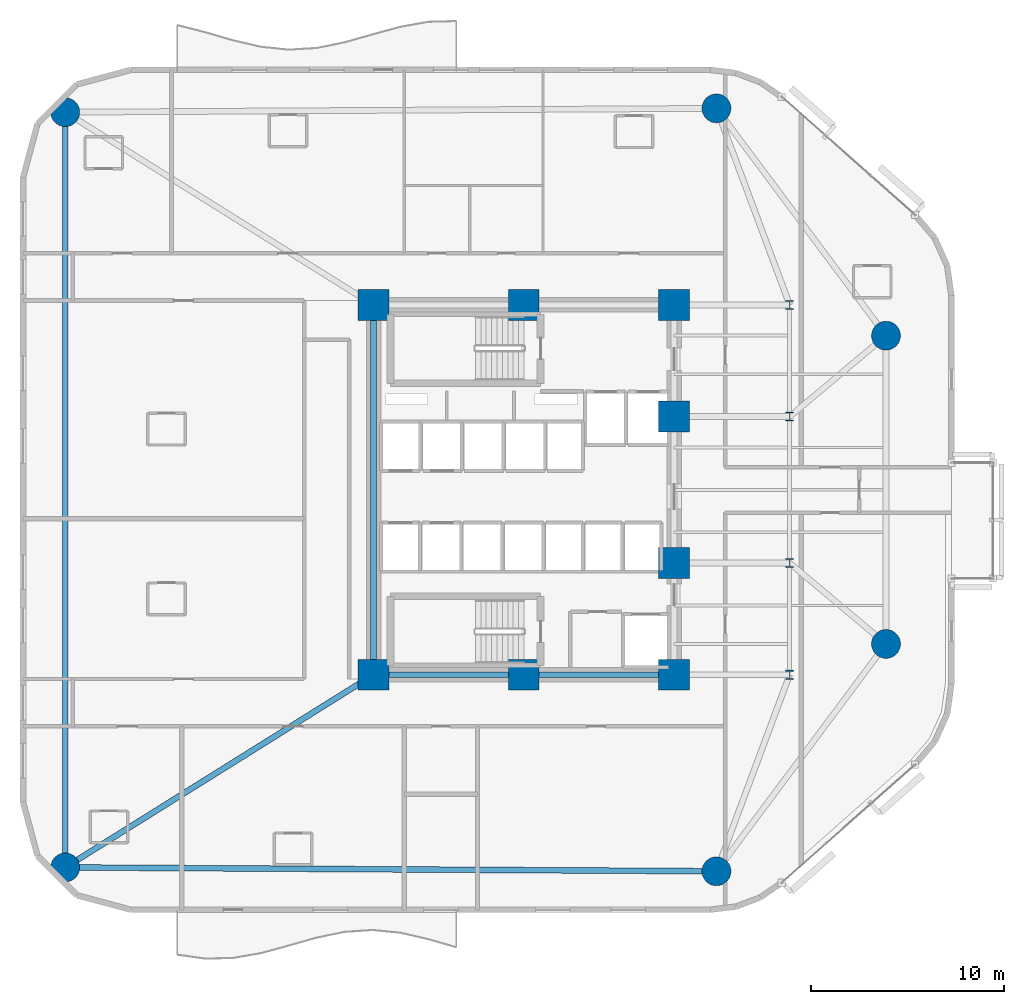
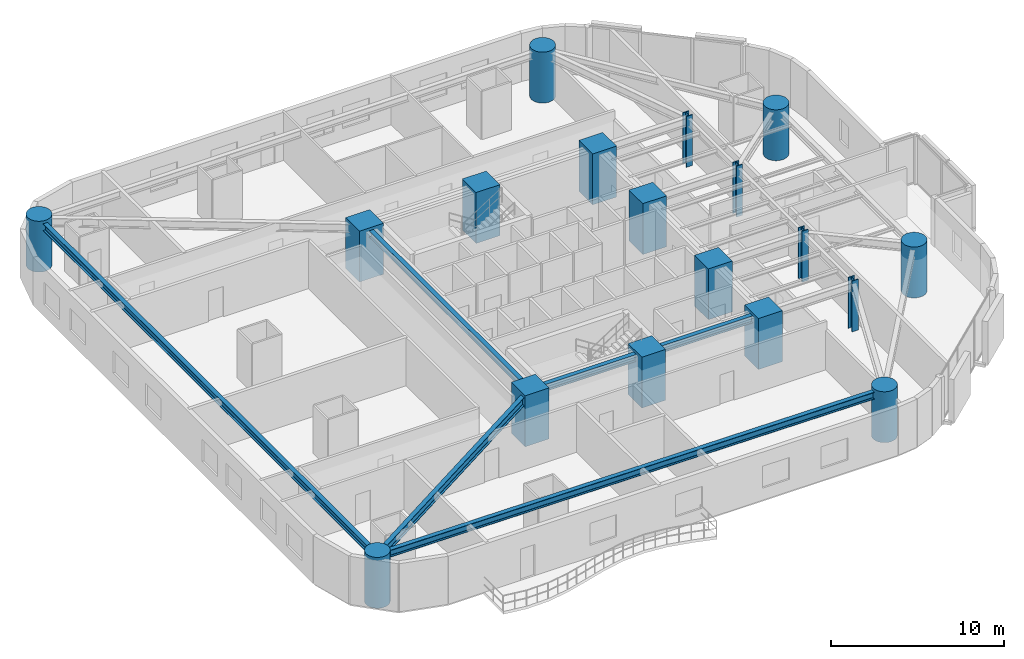
# One storey, part 1 of 17: 18 columns, 5 beams.
"""IFC4 building model written with IfcOpenShell, lengths in metres."""

from ifc_helpers import new_model, si_unit, direction, frame, origin, origin_2d, place, context, subcontext, project, spatial, rectangle, circle, i_section, extrude, material, material_profile, profile_set, type_object, element, save


model = new_model("IFC4")

# Units and contexts
model_context = context("Model", 3, precision=1e-05, world=origin(), true_north=direction((0.0, 1.0)))
body_context = subcontext(model_context, "Body", "Model", "MODEL_VIEW")
ifc_project = project(units=[si_unit("LENGTHUNIT", "METRE"), si_unit("AREAUNIT", "SQUARE_METRE"), si_unit("VOLUMEUNIT", "CUBIC_METRE"), si_unit("PLANEANGLEUNIT", "RADIAN"), si_unit("MASSUNIT", "GRAM", prefix="KILO")], contexts=[model_context])

# Site, building, storey
site_placement = place(None, origin())
site = spatial("IfcSite", under=ifc_project, at=site_placement, CompositionType="ELEMENT")
building_placement = place(site_placement, origin())
building = spatial("IfcBuilding", under=site, at=building_placement, Name="An Khanh Terracotta Commons", CompositionType="ELEMENT")
storey_placement = place(building_placement, frame((0.0, 0.0, 36.0)))
storey = spatial("IfcBuildingStorey", under=building, at=storey_placement, Name="L09", CompositionType="ELEMENT", Elevation=36.0)

# Columns
ifc_material_1 = material(Name="Concrete C70/85", Category="concrete")
ifc_material_profile_1 = material_profile(ifc_material_1, circle(Radius=0.75, at=origin_2d()), Name="CFST1500")
ifc_profile_set_1 = profile_set([ifc_material_profile_1], Name="Concrete C70/85")
column_type_1 = type_object("IfcColumnType", Name="COL-CFST1500", PredefinedType="COLUMN", material=ifc_profile_set_1)
for number, where, z_axis, x_axis, name in (
    (1, (5.60009765625, 4.39990234375, 0.0), (0.0, 0.0, 1.0), (1.0, 0.0, 0.0), "L09 Perimeter CFST Mega-Column MC-01"),
    (2, (39.39990234375, 4.199951171875, 0.0), (0.0, 0.0, 1.0), (1.0, 0.0, 0.0), "L09 Perimeter CFST Mega-Column MC-02"),
    (3, (48.199951171875, 16.0, 0.0), (0.0, 0.0, 1.0), (1.0, 0.0, 0.0), "L09 Perimeter CFST Mega-Column MC-03"),
    (4, (48.199951171875, 32.0, 0.0), (0.0, 0.0, 1.0), (1.0, 0.0, 0.0), "L09 Perimeter CFST Mega-Column MC-04"),
    (5, (39.39990234375, 43.800048828125, 0.0), (0.0, 0.0, 1.0), (1.0, 0.0, 0.0), "L09 Perimeter CFST Mega-Column MC-05"),
    (6, (5.60009765625, 43.60009765625, 0.0), (0.0, 0.0, 1.0), (1.0, 0.0, 0.0), "L09 Perimeter CFST Mega-Column MC-06"),
):
    element("IfcColumn", number, at=place(storey_placement, frame(where, z_axis=z_axis, x_axis=x_axis)), inside=storey, type_object=column_type_1, Name=name, PredefinedType="COLUMN", context=body_context, shape_type="SweptSolid", body=[
        extrude(circle(Radius=0.75, at=origin_2d()), origin(), (0.0, 0.0, 1.0), 3.60009765625),
    ])
ifc_material_2 = material(Name="Steel S460ML", Category="steel")
ifc_material_profile_2 = material_profile(ifc_material_2, i_section(OverallWidth=0.4169921875, OverallDepth=0.47705078125, WebThickness=0.035888671875, FlangeThickness=0.057373046875, FilletRadius=0.014892578125, at=origin_2d()), Name="HD400x463")
ifc_profile_set_2 = profile_set([ifc_material_profile_2], Name="Steel S460ML")
column_type_2 = type_object("IfcColumnType", Name="COL-HD400x463", PredefinedType="COLUMN", material=ifc_profile_set_2)
for number, where, z_axis, x_axis, name in (
    (7, (43.199951171875, 14.39990234375, 0.0), (0.0, 0.0, 1.0), (1.0, 0.0, 0.0), "L09 Interior Frame Column TC-01"),
    (8, (43.199951171875, 20.199951171875, 0.0), (0.0, 0.0, 1.0), (1.0, 0.0, 0.0), "L09 Interior Frame Column TC-02"),
    (9, (43.199951171875, 27.800048828125, 0.0), (0.0, 0.0, 1.0), (1.0, 0.0, 0.0), "L09 Interior Frame Column TC-03"),
    (10, (43.199951171875, 33.60009765625, 0.0), (0.0, 0.0, 1.0), (1.0, 0.0, 0.0), "L09 Interior Frame Column TC-04"),
):
    element("IfcColumn", number, at=place(storey_placement, frame(where, z_axis=z_axis, x_axis=x_axis)), inside=storey, type_object=column_type_2, Name=name, PredefinedType="COLUMN", context=body_context, shape_type="SweptSolid", body=[
        extrude(i_section(OverallWidth=0.4169921875, OverallDepth=0.47705078125, WebThickness=0.035888671875, FlangeThickness=0.057373046875, FilletRadius=0.014892578125, at=origin_2d()), origin(), (0.0, 0.0, 1.0), 3.60009765625),
    ])
ifc_material_profile_3 = material_profile(ifc_material_1, rectangle(XDim=1.60009765625, YDim=1.60009765625, at=origin_2d()), Name="RC1600x1600")
ifc_profile_set_3 = profile_set([ifc_material_profile_3], Name="Concrete C70/85")
column_type_3 = type_object("IfcColumnType", Name="COL-RC1600x1600", PredefinedType="COLUMN", material=ifc_profile_set_3)
for number, where, z_axis, x_axis, name in (
    (11, (21.60009765625, 14.39990234375, 0.0), (0.0, 0.0, 1.0), (1.0, 0.0, 0.0), "L09 Core Boundary Column CC-01"),
    (12, (29.39990234375, 14.39990234375, 0.0), (0.0, 0.0, 1.0), (1.0, 0.0, 0.0), "L09 Core Boundary Column CC-02"),
    (13, (37.199951171875, 14.39990234375, 0.0), (0.0, 0.0, 1.0), (1.0, 0.0, 0.0), "L09 Core Boundary Column CC-03"),
    (14, (37.199951171875, 20.199951171875, 0.0), (0.0, 0.0, 1.0), (1.0, 0.0, 0.0), "L09 Core Boundary Column CC-04"),
    (15, (37.199951171875, 27.800048828125, 0.0), (0.0, 0.0, 1.0), (1.0, 0.0, 0.0), "L09 Core Boundary Column CC-05"),
    (16, (37.199951171875, 33.60009765625, 0.0), (0.0, 0.0, 1.0), (1.0, 0.0, 0.0), "L09 Core Boundary Column CC-06"),
    (17, (29.39990234375, 33.60009765625, 0.0), (0.0, 0.0, 1.0), (1.0, 0.0, 0.0), "L09 Core Boundary Column CC-07"),
    (18, (21.60009765625, 33.60009765625, 0.0), (0.0, 0.0, 1.0), (1.0, 0.0, 0.0), "L09 Core Boundary Column CC-08"),
):
    element("IfcColumn", number, at=place(storey_placement, frame(where, z_axis=z_axis, x_axis=x_axis)), inside=storey, type_object=column_type_3, Name=name, PredefinedType="COLUMN", context=body_context, shape_type="SweptSolid", body=[
        extrude(rectangle(XDim=1.60009765625, YDim=1.60009765625, at=origin_2d()), origin(), (0.0, 0.0, 1.0), 3.60009765625),
    ])

# Beams
ifc_material_3 = material(Name="Steel S355J2", Category="steel")
ifc_material_profile_4 = material_profile(ifc_material_3, i_section(OverallWidth=0.300048828125, OverallDepth=0.449951171875, WebThickness=0.013916015625, FlangeThickness=0.02587890625, FilletRadius=0.027099609375, at=origin_2d()), Name="HEB450")
ifc_profile_set_4 = profile_set([ifc_material_profile_4], Name="Steel S355J2")
beam_type_1 = type_object("IfcBeamType", Name="BM-HEB450", PredefinedType="BEAM", material=ifc_profile_set_4)
beam_1_placement = place(storey_placement, frame((21.60009765625, 14.39990234375, 3.175048828125), z_axis=(0.0, 1.0, 0.0), x_axis=(-1.0, 0.0, 0.0)))
element("IfcBeam", 19, at=beam_1_placement, inside=storey, type_object=beam_type_1, Name="L09 Core West Coupling Girder", PredefinedType="BEAM", context=body_context, shape_type="SweptSolid", body=[
    extrude(i_section(OverallWidth=0.300048828125, OverallDepth=0.449951171875, WebThickness=0.013916015625, FlangeThickness=0.02587890625, FilletRadius=0.027099609375, at=origin_2d()), origin(), (0.0, 0.0, 1.0), 19.2001953125),
])
ifc_material_profile_5 = material_profile(ifc_material_3, i_section(OverallWidth=0.300048828125, OverallDepth=0.5, WebThickness=0.014404296875, FlangeThickness=0.028076171875, FilletRadius=0.027099609375, at=origin_2d()), Name="HEB500")
ifc_profile_set_5 = profile_set([ifc_material_profile_5], Name="Steel S355J2")
beam_type_2 = type_object("IfcBeamType", Name="BM-HEB500", PredefinedType="BEAM", material=ifc_profile_set_5)
beam_2_placement = place(storey_placement, frame((21.60009765625, 14.39990234375, 3.14990234375), z_axis=(1.0, 0.0, 0.0), x_axis=(0.0, 1.0, 0.0)))
element("IfcBeam", 20, at=beam_2_placement, inside=storey, type_object=beam_type_2, Name="L09 Core South Coupling Girder", PredefinedType="BEAM", context=body_context, shape_type="SweptSolid", body=[
    extrude(i_section(OverallWidth=0.300048828125, OverallDepth=0.5, WebThickness=0.014404296875, FlangeThickness=0.028076171875, FilletRadius=0.027099609375, at=origin_2d()), origin(), (0.0, 0.0, 1.0), 15.599853515625),
])
beam_3_placement = place(storey_placement, frame((5.60009765625, 4.39990234375, 3.14990234375), z_axis=(0.999982502414, -0.005915645817, 0.0), x_axis=(0.005915645817, 0.999982502414, 0.0)))
element("IfcBeam", 21, at=beam_3_placement, inside=storey, type_object=beam_type_2, Name="L09 Perimeter Ring Spandrel 1", PredefinedType="BEAM", context=body_context, shape_type="SweptSolid", body=[
    extrude(i_section(OverallWidth=0.300048828125, OverallDepth=0.5, WebThickness=0.014404296875, FlangeThickness=0.028076171875, FilletRadius=0.027099609375, at=origin_2d()), origin(), (0.0, 0.0, 1.0), 33.80029296875),
])
beam_4_placement = place(storey_placement, frame((5.60009765625, 43.60009765625, 3.14990234375), z_axis=(0.0, -1.0, 0.0), x_axis=(1.0, 0.0, 0.0)))
element("IfcBeam", 22, at=beam_4_placement, inside=storey, type_object=beam_type_2, Name="L09 Perimeter Ring Spandrel 6", PredefinedType="BEAM", context=body_context, shape_type="SweptSolid", body=[
    extrude(i_section(OverallWidth=0.300048828125, OverallDepth=0.5, WebThickness=0.014404296875, FlangeThickness=0.028076171875, FilletRadius=0.027099609375, at=origin_2d()), origin(), (0.0, 0.0, 1.0), 39.2001953125),
])
ifc_material_profile_6 = material_profile(ifc_material_3, i_section(OverallWidth=0.300048828125, OverallDepth=0.60009765625, WebThickness=0.015380859375, FlangeThickness=0.030029296875, FilletRadius=0.027099609375, at=origin_2d()), Name="HEB600")
ifc_profile_set_6 = profile_set([ifc_material_profile_6], Name="Steel S355J2")
beam_type_3 = type_object("IfcBeamType", Name="BM-HEB600", PredefinedType="BEAM", material=ifc_profile_set_6)
beam_5_placement = place(storey_placement, frame((5.60009765625, 4.39990234375, 3.10009765625), z_axis=(0.847998304005, 0.529998940003, 0.0), x_axis=(-0.529998940003, 0.847998304005, 0.0)))
element("IfcBeam", 23, at=beam_5_placement, inside=storey, type_object=beam_type_3, Name="L09 Mega-Column Tie Girder 1", PredefinedType="BEAM", context=body_context, shape_type="SweptSolid", body=[
    extrude(i_section(OverallWidth=0.300048828125, OverallDepth=0.60009765625, WebThickness=0.015380859375, FlangeThickness=0.030029296875, FilletRadius=0.027099609375, at=origin_2d()), origin(), (0.0, 0.0, 1.0), 18.867919921875),
])

save(model, "model.ifc")
